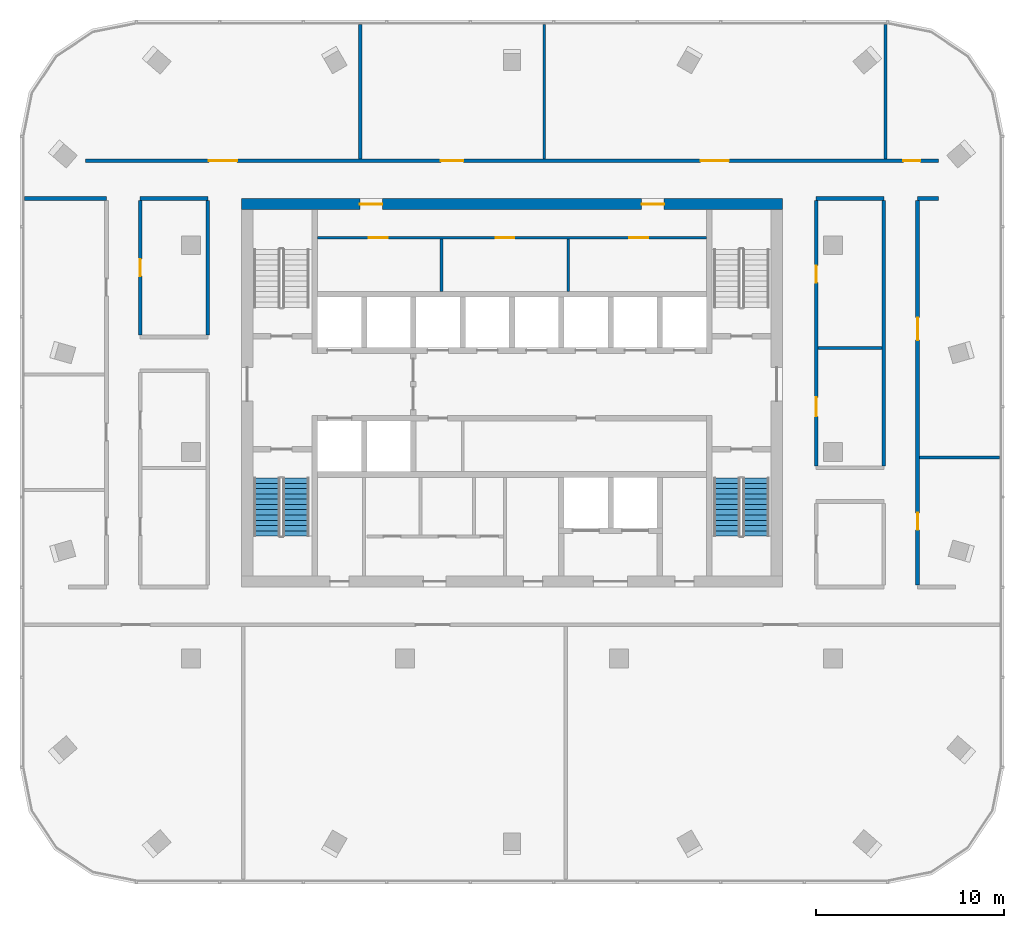
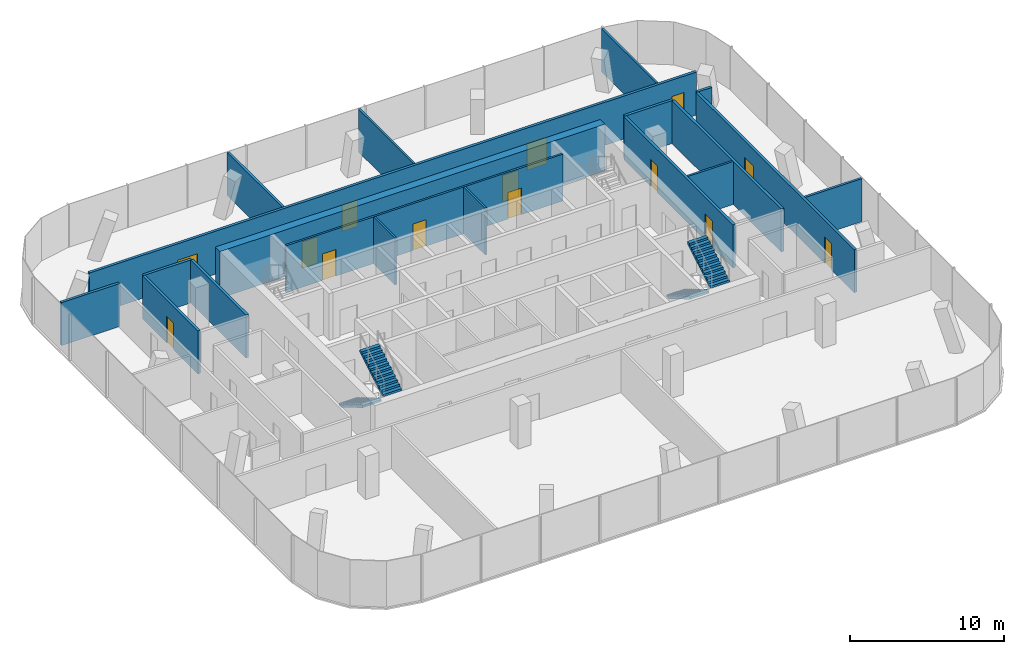
# One storey, part 9 of 11: 19 walls, 14 doors, 4 stair flights, 14 openings, 2 elements without a shape of their own.
"""IFC4 building model written with IfcOpenShell, lengths in metres."""

from ifc_helpers import new_model, si_unit, direction, frame, frame_2d, origin, place, context, subcontext, project, spatial, polyline, rectangle, outline, extrude, material, layer, layer_set, type_object, element, fill, aggregate, save


model = new_model("IFC4")

# Units and contexts
model_context = context("Model", 3, precision=1e-05, world=origin(), true_north=direction((0.0, 1.0)))
body_context = subcontext(model_context, "Body", "Model", "MODEL_VIEW")
ifc_project = project(units=[si_unit("LENGTHUNIT", "METRE"), si_unit("AREAUNIT", "SQUARE_METRE"), si_unit("VOLUMEUNIT", "CUBIC_METRE"), si_unit("PLANEANGLEUNIT", "RADIAN"), si_unit("MASSUNIT", "GRAM", prefix="KILO")], contexts=[model_context])

# Site, building, storey
site_placement = place(None, origin())
site = spatial("IfcSite", under=ifc_project, at=site_placement, CompositionType="ELEMENT")
building_placement = place(site_placement, origin())
building = spatial("IfcBuilding", under=site, at=building_placement, Name="Mopane Tessera Tower", CompositionType="ELEMENT")
storey_placement = place(building_placement, frame((0.0, 0.0, 333.39990234375)))
storey = spatial("IfcBuildingStorey", under=building, at=storey_placement, Name="L73", CompositionType="ELEMENT", Elevation=333.39990234375)

# Walls
ifc_material_1 = material(Name="Fire-rated gypsum board partition")
ifc_layer_1 = layer(ifc_material_1, 0.14990234375)
ifc_layer_set_1 = layer_set([ifc_layer_1], Name="Fire-rated gypsum board partition")
wall_type_1 = type_object("IfcWallType", Name="Core room partition 150 mm", PredefinedType="PARTITIONING", material=ifc_layer_set_1)
for number, where, z_axis, x_axis, name in (
    (1, (-3.75, 8.550048828125, 0.0), (0.0, 0.0, 1.0), (0.0, 1.0, 0.0), "L73 Room partition"),
    (2, (3.0, 8.550048828125, 0.0), (0.0, 0.0, 1.0), (0.0, 1.0, 0.0), "L73 Room partition"),
):
    element("IfcWall", number, at=place(storey_placement, frame(where, z_axis=z_axis, x_axis=x_axis)), inside=storey, type_object=wall_type_1, Name=name, PredefinedType="PARTITIONING", context=body_context, shape_type="SweptSolid", body=[
        extrude(rectangle(XDim=2.77490234375, YDim=0.14990234375, at=frame_2d((1.387451171875, 0.0))), origin(), (0.0, 0.0, 1.0), 3.7001953125),
    ])

# Wall, openings, doors
wall_1_placement = place(storey_placement, frame((-10.35009765625, 11.39990234375, 0.0), z_axis=(0.0, 0.0, 1.0), x_axis=(1.0, 0.0, 0.0)))
wall_1 = element("IfcWall", 3, at=wall_1_placement, inside=storey, type_object=wall_type_1, Name="L73 Corridor wall", PredefinedType="PARTITIONING", context=body_context, shape_type="SweptSolid", body=[
    extrude(rectangle(XDim=20.7001953125, YDim=0.14990234375, at=frame_2d((10.35009765625, 0.0))), origin(), (0.0, 0.0, 1.0), 3.7001953125),
])
opening_1_placement = place(wall_1_placement, frame((2.72509765625, 0.0, 0.0)))
opening_1 = element("IfcOpeningElement", 4, at=opening_1_placement, cuts=wall_1, Name="Opening RD1", PredefinedType="OPENING", context=body_context, shape_type="SweptSolid", body=[
    extrude(rectangle(XDim=1.0, YDim=2.10009765625, at=frame_2d((0.5, 1.050048828125))), frame((0.0, 0.0869140625, 0.0), z_axis=(0.0, -1.0, 0.0), x_axis=(1.0, 0.0, 0.0)), (0.0, 0.0, 1.0), 0.173828125),
])
opening_2_placement = place(wall_1_placement, frame((9.47509765625, 0.0, 0.0)))
opening_2 = element("IfcOpeningElement", 5, at=opening_2_placement, cuts=wall_1, Name="Opening RD1", PredefinedType="OPENING", context=body_context, shape_type="SweptSolid", body=[
    extrude(rectangle(XDim=1.0, YDim=2.10009765625, at=frame_2d((0.5, 1.050048828125))), frame((0.0, 0.0869140625, 0.0), z_axis=(0.0, -1.0, 0.0), x_axis=(1.0, 0.0, 0.0)), (0.0, 0.0, 1.0), 0.173828125),
])
opening_3_placement = place(wall_1_placement, frame((16.60009765625, 0.0, 0.0)))
opening_3 = element("IfcOpeningElement", 6, at=opening_3_placement, cuts=wall_1, Name="Opening RD1", PredefinedType="OPENING", context=body_context, shape_type="SweptSolid", body=[
    extrude(rectangle(XDim=1.0, YDim=2.10009765625, at=frame_2d((0.5, 1.050048828125))), frame((0.0, 0.0869140625, 0.0), z_axis=(0.0, -1.0, 0.0), x_axis=(1.0, 0.0, 0.0)), (0.0, 0.0, 1.0), 0.173828125),
])
ifc_material_2 = material(Name="Timber door", Category="wood")
door_type_1 = type_object("IfcDoorType", Name="Core room door 1000 x 2100", OperationType="SINGLE_SWING_LEFT", PredefinedType="DOOR", material=ifc_material_2)
door_1_placement = place(opening_1_placement, origin())
door_1 = element("IfcDoor", 7, at=door_1_placement, inside=storey, type_object=door_type_1, Name="L73 Room door", OperationType="SINGLE_SWING_LEFT", OverallHeight=2.10009765625, OverallWidth=1.0, PredefinedType="DOOR", context=body_context, shape_type="SweptSolid", body=[
    extrude(rectangle(XDim=1.0, YDim=2.10009765625, at=frame_2d((0.5, 1.050048828125))), frame((0.0, 0.02490234375, 0.0), z_axis=(0.0, -1.0, 0.0), x_axis=(1.0, 0.0, 0.0)), (0.0, 0.0, 1.0), 0.050048828125),
])
fill(opening_1, door_1)
door_2_placement = place(opening_2_placement, origin())
door_2 = element("IfcDoor", 8, at=door_2_placement, inside=storey, type_object=door_type_1, Name="L73 Room door", OperationType="SINGLE_SWING_LEFT", OverallHeight=2.10009765625, OverallWidth=1.0, PredefinedType="DOOR", context=body_context, shape_type="SweptSolid", body=[
    extrude(rectangle(XDim=1.0, YDim=2.10009765625, at=frame_2d((0.5, 1.050048828125))), frame((0.0, 0.02490234375, 0.0), z_axis=(0.0, -1.0, 0.0), x_axis=(1.0, 0.0, 0.0)), (0.0, 0.0, 1.0), 0.050048828125),
])
fill(opening_2, door_2)
door_3_placement = place(opening_3_placement, origin())
door_3 = element("IfcDoor", 9, at=door_3_placement, inside=storey, type_object=door_type_1, Name="L73 Room door", OperationType="SINGLE_SWING_LEFT", OverallHeight=2.10009765625, OverallWidth=1.0, PredefinedType="DOOR", context=body_context, shape_type="SweptSolid", body=[
    extrude(rectangle(XDim=1.0, YDim=2.10009765625, at=frame_2d((0.5, 1.050048828125))), frame((0.0, 0.02490234375, 0.0), z_axis=(0.0, -1.0, 0.0), x_axis=(1.0, 0.0, 0.0)), (0.0, 0.0, 1.0), 0.050048828125),
])
fill(opening_3, door_3)

ifc_material_3 = material(Name="Concrete C70/85", Category="concrete")
ifc_layer_2 = layer(ifc_material_3, 0.60009765625)
ifc_layer_set_2 = layer_set([ifc_layer_2], Name="Concrete C70/85")
wall_type_2 = type_object("IfcWallType", Name="Core shear wall 600 mm", PredefinedType="SHEAR", material=ifc_layer_set_2)
wall_2_placement = place(storey_placement, frame((-14.39990234375, 13.199951171875, 0.0), z_axis=(0.0, 0.0, 1.0), x_axis=(1.0, 0.0, 0.0)))
wall_2 = element("IfcWall", 10, at=wall_2_placement, inside=storey, type_object=wall_type_2, Name="L73 Core wall north", PredefinedType="SHEAR", context=body_context, shape_type="SweptSolid", body=[
    extrude(rectangle(XDim=28.7998046875, YDim=0.60009765625, at=frame_2d((14.39990234375, 0.0))), origin(), (0.0, 0.0, 1.0), 3.7001953125),
])
opening_4_placement = place(wall_2_placement, frame((6.300048828125, 0.0, 0.0)))
opening_4 = element("IfcOpeningElement", 11, at=opening_4_placement, cuts=wall_2, Name="Opening RD2", PredefinedType="OPENING", context=body_context, shape_type="SweptSolid", body=[
    extrude(rectangle(XDim=1.199951171875, YDim=2.10009765625, at=frame_2d((0.60009765625, 1.050048828125))), frame((0.0, 0.31201171875, 0.0), z_axis=(0.0, -1.0, 0.0), x_axis=(1.0, 0.0, 0.0)), (0.0, 0.0, 1.0), 0.6240234375),
])
opening_5_placement = place(wall_2_placement, frame((21.300048828125, 0.0, 0.0)))
opening_5 = element("IfcOpeningElement", 12, at=opening_5_placement, cuts=wall_2, Name="Opening RD2", PredefinedType="OPENING", context=body_context, shape_type="SweptSolid", body=[
    extrude(rectangle(XDim=1.199951171875, YDim=2.10009765625, at=frame_2d((0.60009765625, 1.050048828125))), frame((0.0, 0.31201171875, 0.0), z_axis=(0.0, -1.0, 0.0), x_axis=(1.0, 0.0, 0.0)), (0.0, 0.0, 1.0), 0.6240234375),
])
ifc_material_4 = material(Name="Timber door", Category="wood")
door_type_2 = type_object("IfcDoorType", Name="Core corridor door 1200 x 2100", OperationType="SINGLE_SWING_LEFT", PredefinedType="DOOR", material=ifc_material_4)
door_4_placement = place(opening_4_placement, origin())
door_4 = element("IfcDoor", 13, at=door_4_placement, inside=storey, type_object=door_type_2, Name="L73 Corridor door", OperationType="SINGLE_SWING_LEFT", OverallHeight=2.10009765625, OverallWidth=1.199951171875, PredefinedType="DOOR", context=body_context, shape_type="SweptSolid", body=[
    extrude(rectangle(XDim=1.199951171875, YDim=2.10009765625, at=frame_2d((0.60009765625, 1.050048828125))), frame((0.0, 0.02490234375, 0.0), z_axis=(0.0, -1.0, 0.0), x_axis=(1.0, 0.0, 0.0)), (0.0, 0.0, 1.0), 0.050048828125),
])
fill(opening_4, door_4)
door_5_placement = place(opening_5_placement, origin())
door_5 = element("IfcDoor", 14, at=door_5_placement, inside=storey, type_object=door_type_2, Name="L73 Corridor door", OperationType="SINGLE_SWING_RIGHT", OverallHeight=2.10009765625, OverallWidth=1.199951171875, PredefinedType="DOOR", context=body_context, shape_type="SweptSolid", body=[
    extrude(rectangle(XDim=1.199951171875, YDim=2.10009765625, at=frame_2d((0.60009765625, 1.050048828125))), frame((0.0, 0.02490234375, 0.0), z_axis=(0.0, -1.0, 0.0), x_axis=(1.0, 0.0, 0.0)), (0.0, 0.0, 1.0), 0.050048828125),
])
fill(opening_5, door_5)

# Walls
ifc_material_5 = material(Name="Gypsum board on staggered steel studs, double layer each face, acoustic mineral wool infill", Category="steel")
ifc_layer_3 = layer(ifc_material_5, 0.175048828125)
ifc_layer_set_3 = layer_set([ifc_layer_3], Name="Gypsum board on staggered steel studs, double layer each face, acoustic mineral wool infill")
wall_type_3 = type_object("IfcWallType", Name="Gypsum board acoustic partition 175, rated EI 60", PredefinedType="PARTITIONING", material=ifc_layer_set_3)
wall_3_placement = place(storey_placement, frame((21.699951171875, -0.300048828125, 0.0), z_axis=(0.0, 0.0, 1.0), x_axis=(1.0, 0.0, 0.0)))
element("IfcWall", 15, at=wall_3_placement, inside=storey, type_object=wall_type_3, Name="Partition L73:009", PredefinedType="PARTITIONING", context=body_context, shape_type="SweptSolid", body=[
    extrude(rectangle(XDim=4.25, YDim=0.175048828125, at=frame_2d((2.125, 0.0))), origin(), (0.0, 0.0, 1.0), 3.400146484375),
])
wall_4_placement = place(storey_placement, frame((-8.0849609375, 15.60009765625, 0.0), z_axis=(0.0, 0.0, 1.0), x_axis=(0.0, 1.0, 0.0)))
element("IfcWall", 16, at=wall_4_placement, inside=storey, type_object=wall_type_3, Name="Partition L73:025", PredefinedType="PARTITIONING", context=body_context, shape_type="SweptSolid", body=[
    extrude(rectangle(XDim=7.14990234375, YDim=0.175048828125, at=frame_2d((3.574951171875, 0.0))), origin(), (0.0, 0.0, 1.0), 3.400146484375),
])
ifc_material_6 = material(Name="Gypsum board on steel studs, two layers each face, mineral wool infill", Category="steel")
ifc_layer_4 = layer(ifc_material_6, 0.199951171875)
ifc_layer_set_4 = layer_set([ifc_layer_4], Name="Gypsum board on steel studs, two layers each face, mineral wool infill")
wall_type_4 = type_object("IfcWallType", Name="Gypsum board corridor wall 200, rated EI 60", PredefinedType="PARTITIONING", material=ifc_layer_set_4)
wall_5_placement = place(storey_placement, frame((-25.949951171875, 13.5, 0.0), z_axis=(0.0, 0.0, 1.0), x_axis=(1.0, 0.0, 0.0)))
element("IfcWall", 17, at=wall_5_placement, inside=storey, type_object=wall_type_4, Name="Partition L73:014", PredefinedType="PARTITIONING", context=body_context, shape_type="SweptSolid", body=[
    extrude(rectangle(XDim=4.349853515625, YDim=0.199951171875, at=frame_2d((2.1748046875, 0.0))), origin(), (0.0, 0.0, 1.0), 3.400146484375),
])
for number, where, z_axis, x_axis, name in (
    (18, (-19.800048828125, 13.5, 0.0), (0.0, 0.0, 1.0), (1.0, 0.0, 0.0), "Partition L73:015"),
    (19, (16.199951171875, 13.5, 0.0), (0.0, 0.0, 1.0), (1.0, 0.0, 0.0), "Partition L73:016"),
):
    element("IfcWall", number, at=place(storey_placement, frame(where, z_axis=z_axis, x_axis=x_axis)), inside=storey, type_object=wall_type_4, Name=name, PredefinedType="PARTITIONING", context=body_context, shape_type="SweptSolid", body=[
        extrude(rectangle(XDim=3.60009765625, YDim=0.199951171875, at=frame_2d((1.800048828125, 0.0))), origin(), (0.0, 0.0, 1.0), 3.400146484375),
    ])
wall_6_placement = place(storey_placement, frame((21.60009765625, 13.5, 0.0), z_axis=(0.0, 0.0, 1.0), x_axis=(1.0, 0.0, 0.0)))
element("IfcWall", 20, at=wall_6_placement, inside=storey, type_object=wall_type_4, Name="Partition L73:017", PredefinedType="PARTITIONING", context=body_context, shape_type="SweptSolid", body=[
    extrude(rectangle(XDim=1.099853515625, YDim=0.199951171875, at=frame_2d((0.5498046875, 0.0))), origin(), (0.0, 0.0, 1.0), 3.400146484375),
])

# Wall, openings, doors
wall_7_placement = place(storey_placement, frame((-22.699951171875, 15.5, 0.0), z_axis=(0.0, 0.0, 1.0), x_axis=(1.0, 0.0, 0.0)))
wall_7 = element("IfcWall", 21, at=wall_7_placement, inside=storey, type_object=wall_type_4, Name="Partition L73:018", PredefinedType="PARTITIONING", context=body_context, shape_type="SweptSolid", body=[
    extrude(rectangle(XDim=45.39990234375, YDim=0.199951171875, at=frame_2d((22.699951171875, 0.0))), origin(), (0.0, 0.0, 1.0), 3.400146484375),
])
opening_6_placement = place(wall_7_placement, frame((43.54248046875, 0.0, 0.0)))
opening_6 = element("IfcOpeningElement", 22, at=opening_6_placement, cuts=wall_7, Name="Opening L73-02", PredefinedType="OPENING", context=body_context, shape_type="SweptSolid", body=[
    extrude(rectangle(XDim=0.89990234375, YDim=2.10009765625, at=frame_2d((0.449951171875, 1.050048828125))), frame((0.0, 0.112060546875, 0.0), z_axis=(0.0, -1.0, 0.0), x_axis=(1.0, 0.0, 0.0)), (0.0, 0.0, 1.0), 0.223876953125),
])
opening_7_placement = place(wall_7_placement, frame((32.75, 0.0, 0.0)))
opening_7 = element("IfcOpeningElement", 23, at=opening_7_placement, cuts=wall_7, Name="Opening L73-11", PredefinedType="OPENING", context=body_context, shape_type="SweptSolid", body=[
    extrude(rectangle(XDim=1.5, YDim=2.10009765625, at=frame_2d((0.75, 1.050048828125))), frame((0.0, 0.112060546875, 0.0), z_axis=(0.0, -1.0, 0.0), x_axis=(1.0, 0.0, 0.0)), (0.0, 0.0, 1.0), 0.223876953125),
])
opening_8_placement = place(wall_7_placement, frame((18.9150390625, 0.0, 0.0)))
opening_8 = element("IfcOpeningElement", 24, at=opening_8_placement, cuts=wall_7, Name="Opening L73-15", PredefinedType="OPENING", context=body_context, shape_type="SweptSolid", body=[
    extrude(rectangle(XDim=1.199951171875, YDim=2.10009765625, at=frame_2d((0.60009765625, 1.050048828125))), frame((0.0, 0.112060546875, 0.0), z_axis=(0.0, -1.0, 0.0), x_axis=(1.0, 0.0, 0.0)), (0.0, 0.0, 1.0), 0.223876953125),
])
opening_9_placement = place(wall_7_placement, frame((6.5576171875, 0.0, 0.0)))
opening_9 = element("IfcOpeningElement", 25, at=opening_9_placement, cuts=wall_7, Name="Opening L73-17", PredefinedType="OPENING", context=body_context, shape_type="SweptSolid", body=[
    extrude(rectangle(XDim=1.5, YDim=2.10009765625, at=frame_2d((0.75, 1.050048828125))), frame((0.0, 0.112060546875, 0.0), z_axis=(0.0, -1.0, 0.0), x_axis=(1.0, 0.0, 0.0)), (0.0, 0.0, 1.0), 0.223876953125),
])
ifc_material_7 = material(Name="Timber veneered steel-framed fire door", Category="steel")
door_type_3 = type_object("IfcDoorType", Name="Fire door FD60 1200 x 2100", OperationType="SINGLE_SWING_LEFT", PredefinedType="DOOR", material=ifc_material_7)
door_6_placement = place(opening_8_placement, origin())
door_6 = element("IfcDoor", 26, at=door_6_placement, inside=storey, type_object=door_type_3, Name="Door L73-15", ObjectType="D15A", OperationType="SINGLE_SWING_RIGHT", OverallHeight=2.10009765625, OverallWidth=1.199951171875, PredefinedType="DOOR", context=body_context, shape_type="SweptSolid", body=[
    extrude(rectangle(XDim=1.199951171875, YDim=2.10009765625, at=frame_2d((0.60009765625, 1.050048828125))), frame((0.0, 0.02490234375, 0.0), z_axis=(0.0, -1.0, 0.0), x_axis=(1.0, 0.0, 0.0)), (0.0, 0.0, 1.0), 0.050048828125),
])
fill(opening_8, door_6)
ifc_material_8 = material(Name="Timber veneered steel-framed fire door", Category="steel")
door_type_4 = type_object("IfcDoorType", Name="Fire door FD60 900 x 2100", OperationType="SINGLE_SWING_LEFT", PredefinedType="DOOR", material=ifc_material_8)
door_7_placement = place(opening_6_placement, origin())
door_7 = element("IfcDoor", 27, at=door_7_placement, inside=storey, type_object=door_type_4, Name="Door L73-02", ObjectType="D10A", OperationType="SINGLE_SWING_LEFT", OverallHeight=2.10009765625, OverallWidth=0.89990234375, PredefinedType="DOOR", context=body_context, shape_type="SweptSolid", body=[
    extrude(rectangle(XDim=0.89990234375, YDim=2.10009765625, at=frame_2d((0.449951171875, 1.050048828125))), frame((0.0, 0.02490234375, 0.0), z_axis=(0.0, -1.0, 0.0), x_axis=(1.0, 0.0, 0.0)), (0.0, 0.0, 1.0), 0.050048828125),
])
fill(opening_6, door_7)
ifc_material_9 = material(Name="Timber veneered steel-framed fire door", Category="steel")
door_type_5 = type_object("IfcDoorType", Name="Fire door pair FD60 1500 x 2100", OperationType="DOUBLE_DOOR_SINGLE_SWING", PredefinedType="DOOR", material=ifc_material_9)
door_8_placement = place(opening_7_placement, origin())
door_8 = element("IfcDoor", 28, at=door_8_placement, inside=storey, type_object=door_type_5, Name="Door L73-11", ObjectType="D17A", OperationType="DOUBLE_DOOR_SINGLE_SWING", OverallHeight=2.10009765625, OverallWidth=1.5, PredefinedType="DOOR", context=body_context, shape_type="SweptSolid", body=[
    extrude(rectangle(XDim=1.5, YDim=2.10009765625, at=frame_2d((0.75, 1.050048828125))), frame((0.0, 0.02490234375, 0.0), z_axis=(0.0, -1.0, 0.0), x_axis=(1.0, 0.0, 0.0)), (0.0, 0.0, 1.0), 0.050048828125),
])
fill(opening_7, door_8)
door_9_placement = place(opening_9_placement, origin())
door_9 = element("IfcDoor", 29, at=door_9_placement, inside=storey, type_object=door_type_5, Name="Door L73-17", ObjectType="D17A", OperationType="DOUBLE_DOOR_SINGLE_SWING", OverallHeight=2.10009765625, OverallWidth=1.5, PredefinedType="DOOR", context=body_context, shape_type="SweptSolid", body=[
    extrude(rectangle(XDim=1.5, YDim=2.10009765625, at=frame_2d((0.75, 1.050048828125))), frame((0.0, 0.02490234375, 0.0), z_axis=(0.0, -1.0, 0.0), x_axis=(1.0, 0.0, 0.0)), (0.0, 0.0, 1.0), 0.050048828125),
])
fill(opening_9, door_9)

# Wall, opening, door
wall_8_placement = place(storey_placement, frame((-19.800048828125, 6.219970703125, 0.0), z_axis=(0.0, 0.0, 1.0), x_axis=(0.0, 1.0, 0.0)))
wall_8 = element("IfcWall", 30, at=wall_8_placement, inside=storey, type_object=wall_type_4, Name="Partition L73:021", PredefinedType="PARTITIONING", context=body_context, shape_type="SweptSolid", body=[
    extrude(rectangle(XDim=7.179931640625, YDim=0.199951171875, at=frame_2d((3.58984375, 0.0))), origin(), (0.0, 0.0, 1.0), 3.400146484375),
])
opening_10_placement = place(wall_8_placement, frame((3.139892578125, 0.0, 0.0)))
opening_10 = element("IfcOpeningElement", 31, at=opening_10_placement, cuts=wall_8, Name="Opening L73-12", PredefinedType="OPENING", context=body_context, shape_type="SweptSolid", body=[
    extrude(rectangle(XDim=0.89990234375, YDim=2.10009765625, at=frame_2d((0.449951171875, 1.050048828125))), frame((0.0, 0.112060546875, 0.0), z_axis=(0.0, -1.0, 0.0), x_axis=(1.0, 0.0, 0.0)), (0.0, 0.0, 1.0), 0.223876953125),
])
door_10_placement = place(opening_10_placement, origin())
door_10 = element("IfcDoor", 32, at=door_10_placement, inside=storey, type_object=door_type_4, Name="Door L73-12", ObjectType="D10A", OperationType="SINGLE_SWING_RIGHT", OverallHeight=2.10009765625, OverallWidth=0.89990234375, PredefinedType="DOOR", context=body_context, shape_type="SweptSolid", body=[
    extrude(rectangle(XDim=0.89990234375, YDim=2.10009765625, at=frame_2d((0.449951171875, 1.050048828125))), frame((0.0, 0.02490234375, 0.0), z_axis=(0.0, -1.0, 0.0), x_axis=(1.0, 0.0, 0.0)), (0.0, 0.0, 1.0), 0.050048828125),
])
fill(opening_10, door_10)

# Wall
wall_9_placement = place(storey_placement, frame((-16.199951171875, 6.219970703125, 0.0), z_axis=(0.0, 0.0, 1.0), x_axis=(0.0, 1.0, 0.0)))
element("IfcWall", 33, at=wall_9_placement, inside=storey, type_object=wall_type_4, Name="Partition L73:023", PredefinedType="PARTITIONING", context=body_context, shape_type="SweptSolid", body=[
    extrude(rectangle(XDim=7.179931640625, YDim=0.199951171875, at=frame_2d((3.58984375, 0.0))), origin(), (0.0, 0.0, 1.0), 3.400146484375),
])

# Wall, openings, doors
wall_10_placement = place(storey_placement, frame((16.199951171875, -0.739990234375, 0.0), z_axis=(0.0, 0.0, 1.0), x_axis=(0.0, 1.0, 0.0)))
wall_10 = element("IfcWall", 34, at=wall_10_placement, inside=storey, type_object=wall_type_4, Name="Partition L73:029", PredefinedType="PARTITIONING", context=body_context, shape_type="SweptSolid", body=[
    extrude(rectangle(XDim=14.139892578125, YDim=0.199951171875, at=frame_2d((7.06982421875, 0.0))), origin(), (0.0, 0.0, 1.0), 3.400146484375),
])
opening_11_placement = place(wall_10_placement, frame((9.757568359375, 0.0, 0.0)))
opening_11 = element("IfcOpeningElement", 35, at=opening_11_placement, cuts=wall_10, Name="Opening L73-05", PredefinedType="OPENING", context=body_context, shape_type="SweptSolid", body=[
    extrude(rectangle(XDim=0.89990234375, YDim=2.10009765625, at=frame_2d((0.449951171875, 1.050048828125))), frame((0.0, 0.112060546875, 0.0), z_axis=(0.0, -1.0, 0.0), x_axis=(1.0, 0.0, 0.0)), (0.0, 0.0, 1.0), 0.223876953125),
])
opening_12_placement = place(wall_10_placement, frame((2.637451171875, 0.0, 0.0)))
opening_12 = element("IfcOpeningElement", 36, at=opening_12_placement, cuts=wall_10, Name="Opening L73-10", PredefinedType="OPENING", context=body_context, shape_type="SweptSolid", body=[
    extrude(rectangle(XDim=1.0, YDim=2.10009765625, at=frame_2d((0.5, 1.050048828125))), frame((0.0, 0.112060546875, 0.0), z_axis=(0.0, -1.0, 0.0), x_axis=(1.0, 0.0, 0.0)), (0.0, 0.0, 1.0), 0.223876953125),
])
ifc_material_10 = material(Name="Timber veneered steel-framed fire door", Category="steel")
door_type_6 = type_object("IfcDoorType", Name="Fire door FD60 1000 x 2100", OperationType="SINGLE_SWING_LEFT", PredefinedType="DOOR", material=ifc_material_10)
door_11_placement = place(opening_12_placement, origin())
door_11 = element("IfcDoor", 37, at=door_11_placement, inside=storey, type_object=door_type_6, Name="Door L73-10", ObjectType="D12A", OperationType="SINGLE_SWING_RIGHT", OverallHeight=2.10009765625, OverallWidth=1.0, PredefinedType="DOOR", context=body_context, shape_type="SweptSolid", body=[
    extrude(rectangle(XDim=1.0, YDim=2.10009765625, at=frame_2d((0.5, 1.050048828125))), frame((0.0, 0.02490234375, 0.0), z_axis=(0.0, -1.0, 0.0), x_axis=(1.0, 0.0, 0.0)), (0.0, 0.0, 1.0), 0.050048828125),
])
fill(opening_12, door_11)
door_12_placement = place(opening_11_placement, origin())
door_12 = element("IfcDoor", 38, at=door_12_placement, inside=storey, type_object=door_type_4, Name="Door L73-05", ObjectType="D10A", OperationType="SINGLE_SWING_LEFT", OverallHeight=2.10009765625, OverallWidth=0.89990234375, PredefinedType="DOOR", context=body_context, shape_type="SweptSolid", body=[
    extrude(rectangle(XDim=0.89990234375, YDim=2.10009765625, at=frame_2d((0.449951171875, 1.050048828125))), frame((0.0, 0.02490234375, 0.0), z_axis=(0.0, -1.0, 0.0), x_axis=(1.0, 0.0, 0.0)), (0.0, 0.0, 1.0), 0.050048828125),
])
fill(opening_11, door_12)

# Wall
wall_11_placement = place(storey_placement, frame((19.800048828125, -0.739990234375, 0.0), z_axis=(0.0, 0.0, 1.0), x_axis=(0.0, 1.0, 0.0)))
element("IfcWall", 39, at=wall_11_placement, inside=storey, type_object=wall_type_4, Name="Partition L73:031", PredefinedType="PARTITIONING", context=body_context, shape_type="SweptSolid", body=[
    extrude(rectangle(XDim=14.139892578125, YDim=0.199951171875, at=frame_2d((7.06982421875, 0.0))), origin(), (0.0, 0.0, 1.0), 3.400146484375),
])

# Wall, openings, doors
wall_12_placement = place(storey_placement, frame((21.60009765625, -7.10009765625, 0.0), z_axis=(0.0, 0.0, 1.0), x_axis=(0.0, 1.0, 0.0)))
wall_12 = element("IfcWall", 40, at=wall_12_placement, inside=storey, type_object=wall_type_4, Name="Partition L73:033", PredefinedType="PARTITIONING", context=body_context, shape_type="SweptSolid", body=[
    extrude(rectangle(XDim=20.5, YDim=0.199951171875, at=frame_2d((10.25, 0.0))), origin(), (0.0, 0.0, 1.0), 3.400146484375),
])
opening_13_placement = place(wall_12_placement, frame((2.949951171875, 0.0, 0.0)))
opening_13 = element("IfcOpeningElement", 41, at=opening_13_placement, cuts=wall_12, Name="Opening L73-01", PredefinedType="OPENING", context=body_context, shape_type="SweptSolid", body=[
    extrude(rectangle(XDim=0.89990234375, YDim=2.10009765625, at=frame_2d((0.449951171875, 1.050048828125))), frame((0.0, 0.112060546875, 0.0), z_axis=(0.0, -1.0, 0.0), x_axis=(1.0, 0.0, 0.0)), (0.0, 0.0, 1.0), 0.223876953125),
])
opening_14_placement = place(wall_12_placement, frame((13.050048828125, 0.0, 0.0)))
opening_14 = element("IfcOpeningElement", 42, at=opening_14_placement, cuts=wall_12, Name="Opening L73-03", PredefinedType="OPENING", context=body_context, shape_type="SweptSolid", body=[
    extrude(rectangle(XDim=1.199951171875, YDim=2.10009765625, at=frame_2d((0.60009765625, 1.050048828125))), frame((0.0, 0.112060546875, 0.0), z_axis=(0.0, -1.0, 0.0), x_axis=(1.0, 0.0, 0.0)), (0.0, 0.0, 1.0), 0.223876953125),
])
door_13_placement = place(opening_14_placement, origin())
door_13 = element("IfcDoor", 43, at=door_13_placement, inside=storey, type_object=door_type_3, Name="Door L73-03", ObjectType="D15A", OperationType="SINGLE_SWING_LEFT", OverallHeight=2.10009765625, OverallWidth=1.199951171875, PredefinedType="DOOR", context=body_context, shape_type="SweptSolid", body=[
    extrude(rectangle(XDim=1.199951171875, YDim=2.10009765625, at=frame_2d((0.60009765625, 1.050048828125))), frame((0.0, 0.02490234375, 0.0), z_axis=(0.0, -1.0, 0.0), x_axis=(1.0, 0.0, 0.0)), (0.0, 0.0, 1.0), 0.050048828125),
])
fill(opening_14, door_13)
door_14_placement = place(opening_13_placement, origin())
door_14 = element("IfcDoor", 44, at=door_14_placement, inside=storey, type_object=door_type_4, Name="Door L73-01", ObjectType="D10A", OperationType="SINGLE_SWING_LEFT", OverallHeight=2.10009765625, OverallWidth=0.89990234375, PredefinedType="DOOR", context=body_context, shape_type="SweptSolid", body=[
    extrude(rectangle(XDim=0.89990234375, YDim=2.10009765625, at=frame_2d((0.449951171875, 1.050048828125))), frame((0.0, 0.02490234375, 0.0), z_axis=(0.0, -1.0, 0.0), x_axis=(1.0, 0.0, 0.0)), (0.0, 0.0, 1.0), 0.050048828125),
])
fill(opening_13, door_14)

# Walls
ifc_material_11 = material(Name="Gypsum board on steel studs, mineral wool infill", Category="steel")
ifc_layer_5 = layer(ifc_material_11, 0.14990234375)
ifc_layer_set_5 = layer_set([ifc_layer_5], Name="Gypsum board on steel studs, mineral wool infill")
wall_type_5 = type_object("IfcWallType", Name="Gypsum board partition 150, rated EI 60", PredefinedType="PARTITIONING", material=ifc_layer_set_5)
wall_13_placement = place(storey_placement, frame((16.300048828125, 5.534912109375, 0.0), z_axis=(0.0, 0.0, 1.0), x_axis=(1.0, 0.0, 0.0)))
element("IfcWall", 45, at=wall_13_placement, inside=storey, type_object=wall_type_5, Name="Partition L73:012", PredefinedType="PARTITIONING", context=body_context, shape_type="SweptSolid", body=[
    extrude(rectangle(XDim=3.39990234375, YDim=0.14990234375, at=frame_2d((1.699951171875, 0.0))), origin(), (0.0, 0.0, 1.0), 3.400146484375),
])
for number, where, z_axis, x_axis, name in (
    (46, (1.715087890625, 15.60009765625, 0.0), (0.0, 0.0, 1.0), (0.0, 1.0, 0.0), "Partition L73:026"),
    (47, (19.885009765625, 15.60009765625, 0.0), (0.0, 0.0, 1.0), (0.0, 1.0, 0.0), "Partition L73:032"),
):
    element("IfcWall", number, at=place(storey_placement, frame(where, z_axis=z_axis, x_axis=x_axis)), inside=storey, type_object=wall_type_5, Name=name, PredefinedType="PARTITIONING", context=body_context, shape_type="SweptSolid", body=[
        extrude(rectangle(XDim=7.14990234375, YDim=0.14990234375, at=frame_2d((3.574951171875, 0.0))), origin(), (0.0, 0.0, 1.0), 3.400146484375),
    ])

# Stair, stair flights
ifc_material_12 = material(Name="Concrete C50/60", Category="concrete")
stair_type = type_object("IfcStairType", Name="Escape stair 1400 mm, riser 167 mm", PredefinedType="HALF_TURN_STAIR", material=ifc_material_12)
stair_1_placement = place(storey_placement, origin())
stair_1 = element("IfcStair", 48, at=stair_1_placement, inside=storey, type_object=stair_type, Name="L73 Escape stair south-west", PredefinedType="HALF_TURN_STAIR")
ifc_material_13 = material(Name="Concrete C50/60", Category="concrete")
stair_flight_type = type_object("IfcStairFlightType", Name="Escape stair flight 1400 mm", PredefinedType="STRAIGHT", material=ifc_material_13)
stair_flight_1_placement = place(storey_placement, frame((-13.050048828125, -1.39990234375, 0.0), z_axis=(0.0, 0.0, 1.0), x_axis=(0.0, -1.0, 0.0)))
stair_flight_1 = element("IfcStairFlight", 49, at=stair_flight_1_placement, type_object=stair_flight_type, Name="ST1 flight 1", NumberOfRisers=12, NumberOfTreads=11, PredefinedType="STRAIGHT", RiserHeight=0.166666667, TreadLength=0.28, context=body_context, shape_type="SweptSolid", body=[
    extrude(outline(polyline([(0.0, 0.0), (0.0, 0.166748046875), (0.280029296875, 0.166748046875), (0.280029296875, 0.333251953125), (0.56005859375, 0.333251953125), (0.56005859375, 0.5), (0.840087890625, 0.5), (0.840087890625, 0.666748046875), (1.1201171875, 0.666748046875), (1.1201171875, 0.833251953125), (1.39990234375, 0.833251953125), (1.39990234375, 1.0), (1.679931640625, 1.0), (1.679931640625, 1.166748046875), (1.9599609375, 1.166748046875), (1.9599609375, 1.333251953125), (2.239990234375, 1.333251953125), (2.239990234375, 1.5), (2.52001953125, 1.5), (2.52001953125, 1.666748046875), (2.800048828125, 1.666748046875), (2.800048828125, 1.833251953125), (3.080078125, 1.833251953125), (3.080078125, 2.0), (3.080078125, 1.658935546875), (0.29296875, 0.0), (0.0, 0.0)])), frame((0.0, 0.699951171875, 0.0), z_axis=(0.0, -1.0, 0.0), x_axis=(1.0, 0.0, 0.0)), (0.0, 0.0, 1.0), 1.39990234375),
])
stair_flight_2_placement = place(storey_placement, frame((-11.5, -4.47998046875, 2.0), z_axis=(0.0, 0.0, 1.0), x_axis=(0.0, 1.0, 0.0)))
stair_flight_2 = element("IfcStairFlight", 50, at=stair_flight_2_placement, type_object=stair_flight_type, Name="ST1 flight 2", NumberOfRisers=12, NumberOfTreads=11, PredefinedType="STRAIGHT", RiserHeight=0.166666667, TreadLength=0.28, context=body_context, shape_type="SweptSolid", body=[
    extrude(outline(polyline([(0.0, 0.0), (0.0, 0.166748046875), (0.280029296875, 0.166748046875), (0.280029296875, 0.333251953125), (0.56005859375, 0.333251953125), (0.56005859375, 0.5), (0.840087890625, 0.5), (0.840087890625, 0.666748046875), (1.1201171875, 0.666748046875), (1.1201171875, 0.833251953125), (1.39990234375, 0.833251953125), (1.39990234375, 1.0), (1.679931640625, 1.0), (1.679931640625, 1.166748046875), (1.9599609375, 1.166748046875), (1.9599609375, 1.333251953125), (2.239990234375, 1.333251953125), (2.239990234375, 1.5), (2.52001953125, 1.5), (2.52001953125, 1.666748046875), (2.800048828125, 1.666748046875), (2.800048828125, 1.833251953125), (3.080078125, 1.833251953125), (3.080078125, 2.0), (3.080078125, 1.658935546875), (0.29296875, 0.0), (0.0, 0.0)])), frame((0.0, 0.699951171875, 0.0), z_axis=(0.0, -1.0, 0.0), x_axis=(1.0, 0.0, 0.0)), (0.0, 0.0, 1.0), 1.39990234375),
])
aggregate(stair_1, [stair_flight_1, stair_flight_2])

stair_2_placement = place(storey_placement, origin())
stair_2 = element("IfcStair", 51, at=stair_2_placement, inside=storey, type_object=stair_type, Name="L73 Escape stair south-east", PredefinedType="HALF_TURN_STAIR")
stair_flight_3_placement = place(storey_placement, frame((11.449951171875, -1.39990234375, 0.0), z_axis=(0.0, 0.0, 1.0), x_axis=(0.0, -1.0, 0.0)))
stair_flight_3 = element("IfcStairFlight", 52, at=stair_flight_3_placement, type_object=stair_flight_type, Name="ST3 flight 1", NumberOfRisers=12, NumberOfTreads=11, PredefinedType="STRAIGHT", RiserHeight=0.166666667, TreadLength=0.28, context=body_context, shape_type="SweptSolid", body=[
    extrude(outline(polyline([(0.0, 0.0), (0.0, 0.166748046875), (0.280029296875, 0.166748046875), (0.280029296875, 0.333251953125), (0.56005859375, 0.333251953125), (0.56005859375, 0.5), (0.840087890625, 0.5), (0.840087890625, 0.666748046875), (1.1201171875, 0.666748046875), (1.1201171875, 0.833251953125), (1.39990234375, 0.833251953125), (1.39990234375, 1.0), (1.679931640625, 1.0), (1.679931640625, 1.166748046875), (1.9599609375, 1.166748046875), (1.9599609375, 1.333251953125), (2.239990234375, 1.333251953125), (2.239990234375, 1.5), (2.52001953125, 1.5), (2.52001953125, 1.666748046875), (2.800048828125, 1.666748046875), (2.800048828125, 1.833251953125), (3.080078125, 1.833251953125), (3.080078125, 2.0), (3.080078125, 1.658935546875), (0.29296875, 0.0), (0.0, 0.0)])), frame((0.0, 0.699951171875, 0.0), z_axis=(0.0, -1.0, 0.0), x_axis=(1.0, 0.0, 0.0)), (0.0, 0.0, 1.0), 1.39990234375),
])
stair_flight_4_placement = place(storey_placement, frame((13.0, -4.47998046875, 2.0), z_axis=(0.0, 0.0, 1.0), x_axis=(0.0, 1.0, 0.0)))
stair_flight_4 = element("IfcStairFlight", 53, at=stair_flight_4_placement, type_object=stair_flight_type, Name="ST3 flight 2", NumberOfRisers=12, NumberOfTreads=11, PredefinedType="STRAIGHT", RiserHeight=0.166666667, TreadLength=0.28, context=body_context, shape_type="SweptSolid", body=[
    extrude(outline(polyline([(0.0, 0.0), (0.0, 0.166748046875), (0.280029296875, 0.166748046875), (0.280029296875, 0.333251953125), (0.56005859375, 0.333251953125), (0.56005859375, 0.5), (0.840087890625, 0.5), (0.840087890625, 0.666748046875), (1.1201171875, 0.666748046875), (1.1201171875, 0.833251953125), (1.39990234375, 0.833251953125), (1.39990234375, 1.0), (1.679931640625, 1.0), (1.679931640625, 1.166748046875), (1.9599609375, 1.166748046875), (1.9599609375, 1.333251953125), (2.239990234375, 1.333251953125), (2.239990234375, 1.5), (2.52001953125, 1.5), (2.52001953125, 1.666748046875), (2.800048828125, 1.666748046875), (2.800048828125, 1.833251953125), (3.080078125, 1.833251953125), (3.080078125, 2.0), (3.080078125, 1.658935546875), (0.29296875, 0.0), (0.0, 0.0)])), frame((0.0, 0.699951171875, 0.0), z_axis=(0.0, -1.0, 0.0), x_axis=(1.0, 0.0, 0.0)), (0.0, 0.0, 1.0), 1.39990234375),
])
aggregate(stair_2, [stair_flight_3, stair_flight_4])

save(model, "model.ifc")
